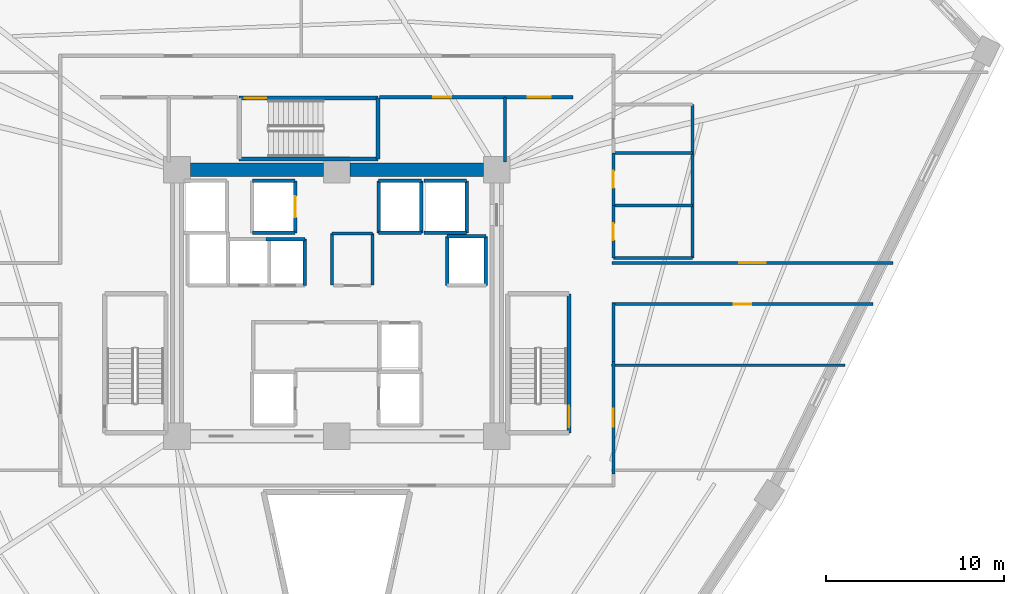
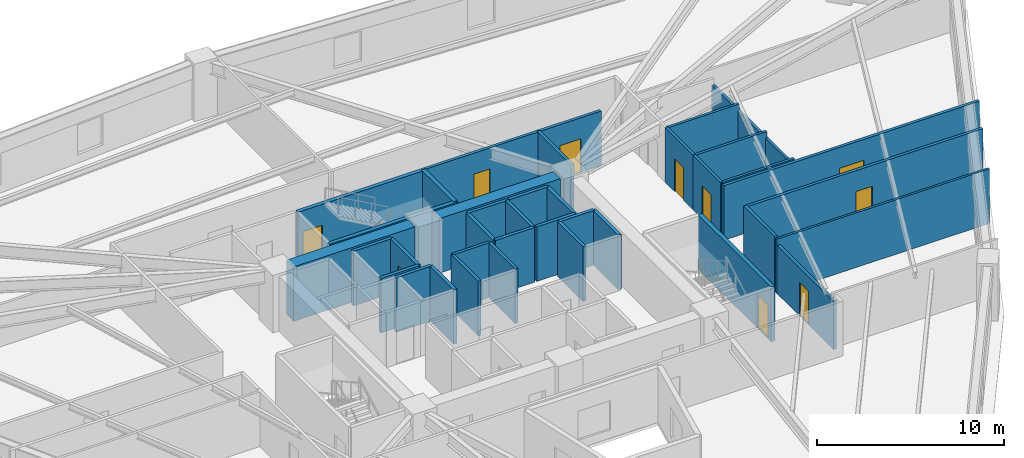
# One storey, part 5 of 7: 38 walls, 10 doors, 10 openings.
"""IFC4 building model written with IfcOpenShell, lengths in metres."""

from ifc_helpers import new_model, si_unit, direction, frame, frame_2d, origin, place, context, subcontext, project, spatial, rectangle, extrude, source, transform, mapped, material, layer, layer_set, type_object, element, fill, save


model = new_model("IFC4")

# Units and contexts
model_context = context("Model", 3, precision=1e-05, world=origin(), true_north=direction((0.0, 1.0)))
body_context = subcontext(model_context, "Body", "Model", "MODEL_VIEW")
ifc_project = project(units=[si_unit("LENGTHUNIT", "METRE"), si_unit("AREAUNIT", "SQUARE_METRE"), si_unit("VOLUMEUNIT", "CUBIC_METRE"), si_unit("PLANEANGLEUNIT", "RADIAN"), si_unit("MASSUNIT", "GRAM", prefix="KILO")], contexts=[model_context])

# Site, building, storey
site_placement = place(None, origin())
site = spatial("IfcSite", under=ifc_project, at=site_placement, CompositionType="ELEMENT")
building_placement = place(site_placement, origin())
building = spatial("IfcBuilding", under=site, at=building_placement, Name="Liaohun Quay Tower", CompositionType="ELEMENT")
storey_placement = place(building_placement, frame((0.0, 0.0, 113.25)))
storey = spatial("IfcBuildingStorey", under=building, at=storey_placement, Name="L29", CompositionType="ELEMENT", Elevation=113.25)

# Walls
ifc_material_1 = material(Name="Concrete C60", Category="concrete")
ifc_layer_1 = layer(ifc_material_1, 0.75, Name="Concrete C60", Category="concrete")
ifc_layer_set_1 = layer_set([ifc_layer_1], Name="Concrete C60")
wall_type_1 = type_object("IfcWallType", Name="WAL-COR-Z2", PredefinedType="SHEAR", material=ifc_layer_set_1)
for number, where, z_axis, x_axis, name in (
    (1, (51.75, 61.5, 0.0), (0.0, 0.0, 1.0), (1.0, 0.0, 0.0), "L29 Central Core Shear Wall N-W"),
    (2, (60.75, 61.5, 0.0), (0.0, 0.0, 1.0), (1.0, 0.0, 0.0), "L29 Central Core Shear Wall N-E"),
):
    element("IfcWall", number, at=place(storey_placement, frame(where, z_axis=z_axis, x_axis=x_axis)), inside=storey, type_object=wall_type_1, Name=name, PredefinedType="SHEAR", context=body_context, shape_type="SweptSolid", body=[
        extrude(rectangle(XDim=7.5, YDim=0.75, at=frame_2d((3.75, 0.0))), origin(), (0.0, 0.0, 1.0), 3.570068359375),
    ])

# Wall, opening, door
ifc_material_2 = material(Name="Autoclaved aerated concrete blockwork", Category="masonry")
ifc_layer_2 = layer(ifc_material_2, 0.179931640625, Name="Autoclaved aerated concrete blockwork", Category="masonry")
ifc_layer_set_2 = layer_set([ifc_layer_2], Name="Autoclaved aerated concrete blockwork")
wall_type_2 = type_object("IfcWallType", Name="WAL-PRT-COR", PredefinedType="PARTITIONING", material=ifc_layer_set_2)
wall_1_placement = place(storey_placement, frame((62.389892578125, 65.580078125, 0.0), z_axis=(0.0, 0.0, 1.0), x_axis=(1.0, 0.0, 0.0)))
wall_1 = element("IfcWall", 3, at=wall_1_placement, inside=storey, type_object=wall_type_2, Name="L29 Interior Partition Wall 007", PredefinedType="PARTITIONING", context=body_context, shape_type="SweptSolid", body=[
    extrude(rectangle(XDim=7.070068359375, YDim=0.179931640625, at=frame_2d((3.53515625, 0.0))), origin(), (0.0, 0.0, 1.0), 3.570068359375),
])
shared_shape_1 = source(origin(), body_context, "Body", "SweptSolid", [
    extrude(rectangle(XDim=1.0, YDim=2.199951171875, at=frame_2d((0.5, 1.10009765625))), frame((0.0, 0.099853515625, 0.0), z_axis=(0.0, -1.0, 0.0), x_axis=(1.0, 0.0, 0.0)), (0.0, 0.0, 1.0), 0.199951171875),
])
opening_1_placement = place(wall_1_placement, frame((3.034912109375, 0.0, 0.0)))
opening_1 = element("IfcOpeningElement", 4, at=opening_1_placement, cuts=wall_1, Name="Opening OD1", PredefinedType="OPENING", context=body_context, shape_type="MappedRepresentation", body=[
    mapped(shared_shape_1, transform((0.0, 0.0, 0.0), x_axis=(1.0, 0.0, 0.0), y_axis=(0.0, 1.0, 0.0), z_axis=(0.0, 0.0, 1.0), scale=1.0)),
])
ifc_material_3 = material(Name="Solid-core oak veneer timber leaf in steel frame", Category="steel")
door_type_1 = type_object("IfcDoorType", Name="DOR-OFF-1000", OperationType="NOTDEFINED", PredefinedType="DOOR", material=ifc_material_3)
shared_shape_2 = source(origin(), body_context, "Body", "SweptSolid", [
    extrude(rectangle(XDim=1.0, YDim=2.199951171875, at=frame_2d((0.5, 1.10009765625))), frame((0.0, 0.02490234375, 0.0), z_axis=(0.0, -1.0, 0.0), x_axis=(1.0, 0.0, 0.0)), (0.0, 0.0, 1.0), 0.050048828125),
])
door_1_placement = place(opening_1_placement, origin())
door_1 = element("IfcDoor", 5, at=door_1_placement, inside=storey, type_object=door_type_1, Name="L29 North-East Archive and Mail Room Door", OperationType="SINGLE_SWING_RIGHT", OverallHeight=2.199951171875, OverallWidth=1.0, PredefinedType="DOOR", context=body_context, shape_type="MappedRepresentation", body=[
    mapped(shared_shape_2, transform((0.0, 0.0, 0.0), x_axis=(1.0, 0.0, 0.0), y_axis=(0.0, 1.0, 0.0), z_axis=(0.0, 0.0, 1.0), scale=1.0)),
])
fill(opening_1, door_1)

wall_2_placement = place(storey_placement, frame((69.4599609375, 65.580078125, 0.0), z_axis=(0.0, 0.0, 1.0), x_axis=(1.0, 0.0, 0.0)))
wall_2 = element("IfcWall", 6, at=wall_2_placement, inside=storey, type_object=wall_type_2, Name="L29 Interior Partition Wall 009", PredefinedType="PARTITIONING", context=body_context, shape_type="SweptSolid", body=[
    extrude(rectangle(XDim=3.840087890625, YDim=0.179931640625, at=frame_2d((1.919921875, 0.0))), origin(), (0.0, 0.0, 1.0), 3.570068359375),
])
shared_shape_3 = source(origin(), body_context, "Body", "SweptSolid", [
    extrude(rectangle(XDim=1.300048828125, YDim=2.199951171875, at=frame_2d((0.64990234375, 1.10009765625))), frame((0.0, 0.099853515625, 0.0), z_axis=(0.0, -1.0, 0.0), x_axis=(1.0, 0.0, 0.0)), (0.0, 0.0, 1.0), 0.199951171875),
])
opening_2_placement = place(wall_2_placement, frame((1.27001953125, 0.0, 0.0)))
opening_2 = element("IfcOpeningElement", 7, at=opening_2_placement, cuts=wall_2, Name="Opening FD1", PredefinedType="OPENING", context=body_context, shape_type="MappedRepresentation", body=[
    mapped(shared_shape_3, transform((0.0, 0.0, 0.0), x_axis=(1.0, 0.0, 0.0), y_axis=(0.0, 1.0, 0.0), z_axis=(0.0, 0.0, 1.0), scale=1.0)),
])
ifc_material_4 = material(Name="Galvanised steel smokeproof fire door", Category="steel")
door_type_2 = type_object("IfcDoorType", Name="DOR-FFL-1300", OperationType="NOTDEFINED", PredefinedType="DOOR", material=ifc_material_4)
shared_shape_4 = source(origin(), body_context, "Body", "SweptSolid", [
    extrude(rectangle(XDim=1.300048828125, YDim=2.199951171875, at=frame_2d((0.64990234375, 1.10009765625))), frame((0.0, 0.02490234375, 0.0), z_axis=(0.0, -1.0, 0.0), x_axis=(1.0, 0.0, 0.0)), (0.0, 0.0, 1.0), 0.050048828125),
])
door_2_placement = place(opening_2_placement, origin())
door_2 = element("IfcDoor", 8, at=door_2_placement, inside=storey, type_object=door_type_2, Name="L29 East Core Vestibule Door", OperationType="SINGLE_SWING_RIGHT", OverallHeight=2.199951171875, OverallWidth=1.300048828125, PredefinedType="DOOR", context=body_context, shape_type="MappedRepresentation", body=[
    mapped(shared_shape_4, transform((0.0, 0.0, 0.0), x_axis=(1.0, 0.0, 0.0), y_axis=(0.0, 1.0, 0.0), z_axis=(0.0, 0.0, 1.0), scale=1.0)),
])
fill(opening_2, door_2)

wall_3_placement = place(storey_placement, frame((75.489990234375, 56.260009765625, 0.0), z_axis=(0.0, 0.0, 1.0), x_axis=(1.0, 0.0, 0.0)))
wall_3 = element("IfcWall", 9, at=wall_3_placement, inside=storey, type_object=wall_type_2, Name="L29 Interior Partition Wall 010", PredefinedType="PARTITIONING", context=body_context, shape_type="SweptSolid", body=[
    extrude(rectangle(XDim=15.81103515625, YDim=0.179931640625, at=frame_2d((7.905517578125, 0.0))), origin(), (0.0, 0.0, 1.0), 3.570068359375),
])
shared_shape_5 = source(origin(), body_context, "Body", "SweptSolid", [
    extrude(rectangle(XDim=1.5, YDim=2.199951171875, at=frame_2d((0.75, 1.10009765625))), frame((0.0, 0.099853515625, 0.0), z_axis=(0.0, -1.0, 0.0), x_axis=(1.0, 0.0, 0.0)), (0.0, 0.0, 1.0), 0.199951171875),
])
opening_3_placement = place(wall_3_placement, frame((7.156005859375, 0.0, 0.0)))
opening_3 = element("IfcOpeningElement", 10, at=opening_3_placement, cuts=wall_3, Name="Opening OD2", PredefinedType="OPENING", context=body_context, shape_type="MappedRepresentation", body=[
    mapped(shared_shape_5, transform((0.0, 0.0, 0.0), x_axis=(1.0, 0.0, 0.0), y_axis=(0.0, 1.0, 0.0), z_axis=(0.0, 0.0, 1.0), scale=1.0)),
])
ifc_material_5 = material(Name="Acoustic oak veneer double door")
door_type_3 = type_object("IfcDoorType", Name="DOR-OFF-1500", OperationType="DOUBLE_DOOR_SINGLE_SWING", PredefinedType="DOOR", material=ifc_material_5)
shared_shape_6 = source(origin(), body_context, "Body", "SweptSolid", [
    extrude(rectangle(XDim=1.5, YDim=2.199951171875, at=frame_2d((0.75, 1.10009765625))), frame((0.0, 0.02490234375, 0.0), z_axis=(0.0, -1.0, 0.0), x_axis=(1.0, 0.0, 0.0)), (0.0, 0.0, 1.0), 0.050048828125),
])
door_3_placement = place(opening_3_placement, origin())
door_3 = element("IfcDoor", 11, at=door_3_placement, inside=storey, type_object=door_type_3, Name="L29 Technical Reference Library 01 Door", OperationType="DOUBLE_DOOR_SINGLE_SWING", OverallHeight=2.199951171875, OverallWidth=1.5, PredefinedType="DOOR", context=body_context, shape_type="MappedRepresentation", body=[
    mapped(shared_shape_6, transform((0.0, 0.0, 0.0), x_axis=(1.0, 0.0, 0.0), y_axis=(0.0, 1.0, 0.0), z_axis=(0.0, 0.0, 1.0), scale=1.0)),
])
fill(opening_3, door_3)

wall_4_placement = place(storey_placement, frame((75.56005859375, 50.715087890625, 0.0), z_axis=(0.0, 0.0, 1.0), x_axis=(0.0, -1.0, 0.0)))
wall_4 = element("IfcWall", 12, at=wall_4_placement, inside=storey, type_object=wall_type_2, Name="L29 Interior Partition Wall 017", PredefinedType="PARTITIONING", context=body_context, shape_type="SweptSolid", body=[
    extrude(rectangle(XDim=6.330078125, YDim=0.179931640625, at=frame_2d((3.1650390625, 0.0))), origin(), (0.0, 0.0, 1.0), 3.155029296875),
])
opening_4_placement = place(wall_4_placement, frame((2.6650390625, 0.0, 0.0)))
opening_4 = element("IfcOpeningElement", 13, at=opening_4_placement, cuts=wall_4, Name="Opening OD1", PredefinedType="OPENING", context=body_context, shape_type="MappedRepresentation", body=[
    mapped(shared_shape_1, transform((0.0, 0.0, 0.0), x_axis=(1.0, 0.0, 0.0), y_axis=(0.0, 1.0, 0.0), z_axis=(0.0, 0.0, 1.0), scale=1.0)),
])
door_4_placement = place(opening_4_placement, origin())
door_4 = element("IfcDoor", 14, at=door_4_placement, inside=storey, type_object=door_type_1, Name="L29 Staff Daycare Nursery 08 Door", OperationType="SINGLE_SWING_RIGHT", OverallHeight=2.199951171875, OverallWidth=1.0, PredefinedType="DOOR", context=body_context, shape_type="MappedRepresentation", body=[
    mapped(shared_shape_2, transform((0.0, 0.0, 0.0), x_axis=(1.0, 0.0, 0.0), y_axis=(0.0, 1.0, 0.0), z_axis=(0.0, 0.0, 1.0), scale=1.0)),
])
fill(opening_4, door_4)

wall_5_placement = place(storey_placement, frame((90.1689453125, 53.93994140625, 0.0), z_axis=(0.0, 0.0, 1.0), x_axis=(-1.0, 0.0, 0.0)))
wall_5 = element("IfcWall", 15, at=wall_5_placement, inside=storey, type_object=wall_type_2, Name="L29 Interior Partition Wall 018", PredefinedType="PARTITIONING", context=body_context, shape_type="SweptSolid", body=[
    extrude(rectangle(XDim=14.678955078125, YDim=0.179931640625, at=frame_2d((7.33935546875, 0.0))), origin(), (0.0, 0.0, 1.0), 3.570068359375),
])
opening_5_placement = place(wall_5_placement, frame((6.840087890625, 0.0, 0.0)))
opening_5 = element("IfcOpeningElement", 16, at=opening_5_placement, cuts=wall_5, Name="Opening OD1", PredefinedType="OPENING", context=body_context, shape_type="MappedRepresentation", body=[
    mapped(shared_shape_1, transform((0.0, 0.0, 0.0), x_axis=(1.0, 0.0, 0.0), y_axis=(0.0, 1.0, 0.0), z_axis=(0.0, 0.0, 1.0), scale=1.0)),
])
door_5_placement = place(opening_5_placement, origin())
door_5 = element("IfcDoor", 17, at=door_5_placement, inside=storey, type_object=door_type_1, Name="L29 Records Archive Store 09 Door", OperationType="SINGLE_SWING_LEFT", OverallHeight=2.199951171875, OverallWidth=1.0, PredefinedType="DOOR", context=body_context, shape_type="MappedRepresentation", body=[
    mapped(shared_shape_2, transform((0.0, 0.0, 0.0), x_axis=(1.0, 0.0, 0.0), y_axis=(0.0, 1.0, 0.0), z_axis=(0.0, 0.0, 1.0), scale=1.0)),
])
fill(opening_5, door_5)

# Walls
for number, where, z_axis, x_axis, name in (
    (18, (59.719970703125, 55.02001953125, 0.0), (0.0, 0.0, 1.0), (0.0, 1.0, 0.0), "L29 Interior Partition Wall 019"),
    (19, (62.010009765625, 55.02001953125, 0.0), (0.0, 0.0, 1.0), (0.0, 1.0, 0.0), "L29 Interior Partition Wall 020"),
):
    element("IfcWall", number, at=place(storey_placement, frame(where, z_axis=z_axis, x_axis=x_axis)), inside=storey, type_object=wall_type_2, Name=name, PredefinedType="PARTITIONING", context=body_context, shape_type="SweptSolid", body=[
        extrude(rectangle(XDim=2.8798828125, YDim=0.179931640625, at=frame_2d((1.43994140625, 0.0))), origin(), (0.0, 0.0, 1.0), 3.570068359375),
    ])
wall_6_placement = place(storey_placement, frame((59.719970703125, 57.919921875, 0.0), z_axis=(0.0, 0.0, 1.0), x_axis=(1.0, 0.0, 0.0)))
element("IfcWall", 20, at=wall_6_placement, inside=storey, type_object=wall_type_2, Name="L29 Interior Partition Wall 021", PredefinedType="PARTITIONING", context=body_context, shape_type="SweptSolid", body=[
    extrude(rectangle(XDim=2.2900390625, YDim=0.179931640625, at=frame_2d((1.14501953125, 0.0))), origin(), (0.0, 0.0, 1.0), 3.570068359375),
])
wall_7_placement = place(storey_placement, frame((69.4599609375, 61.949951171875, 0.0), z_axis=(0.0, 0.0, 1.0), x_axis=(0.0, 1.0, 0.0)))
element("IfcWall", 21, at=wall_7_placement, inside=storey, type_object=wall_type_2, Name="L29 Interior Partition Wall 028", PredefinedType="PARTITIONING", context=body_context, shape_type="SweptSolid", body=[
    extrude(rectangle(XDim=3.630126953125, YDim=0.179931640625, at=frame_2d((1.81494140625, 0.0))), origin(), (0.0, 0.0, 1.0), 3.570068359375),
])
wall_8_placement = place(storey_placement, frame((75.56005859375, 54.010009765625, 0.0), z_axis=(0.0, 0.0, 1.0), x_axis=(0.0, -1.0, 0.0)))
element("IfcWall", 22, at=wall_8_placement, inside=storey, type_object=wall_type_2, Name="L29 Interior Partition Wall 036", PredefinedType="PARTITIONING", context=body_context, shape_type="SweptSolid", body=[
    extrude(rectangle(XDim=3.294921875, YDim=0.179931640625, at=frame_2d((1.6474609375, 0.0))), origin(), (0.0, 0.0, 1.0), 3.570068359375),
])
ifc_material_6 = material(Name="Gypsum board on twin steel studs", Category="steel")
ifc_layer_3 = layer(ifc_material_6, 0.139892578125, Name="Gypsum board on twin steel studs", Category="steel")
ifc_layer_set_3 = layer_set([ifc_layer_3], Name="Gypsum board on twin steel studs")
wall_type_3 = type_object("IfcWallType", Name="WAL-PRT-OFF", PredefinedType="PARTITIONING", material=ifc_layer_set_3)
wall_9_placement = place(storey_placement, frame((75.4599609375, 50.5, 0.0), z_axis=(0.0, 0.0, 1.0), x_axis=(1.0, 0.0, 0.0)))
element("IfcWall", 23, at=wall_9_placement, inside=storey, type_object=wall_type_3, Name="L29 Interior Partition Wall 041", PredefinedType="PARTITIONING", context=body_context, shape_type="SweptSolid", body=[
    extrude(rectangle(XDim=13.137939453125, YDim=0.139892578125, at=frame_2d((6.56884765625, 0.0))), origin(), (0.0, 0.0, 1.0), 3.570068359375),
])

# Wall, opening, door
ifc_material_7 = material(Name="Moisture-resistant masonry blockwork", Category="masonry")
ifc_layer_4 = layer(ifc_material_7, 0.159912109375, Name="Moisture-resistant masonry blockwork", Category="masonry")
ifc_layer_set_4 = layer_set([ifc_layer_4], Name="Moisture-resistant masonry blockwork")
wall_type_4 = type_object("IfcWallType", Name="WAL-PRT-WET", PredefinedType="PARTITIONING", material=ifc_layer_set_4)
wall_10_placement = place(storey_placement, frame((75.56005859375, 56.5400390625, 0.0), z_axis=(0.0, 0.0, 1.0), x_axis=(0.0, 1.0, 0.0)))
wall_10 = element("IfcWall", 24, at=wall_10_placement, inside=storey, type_object=wall_type_4, Name="L29 Interior Partition Wall 003", PredefinedType="PARTITIONING", context=body_context, shape_type="SweptSolid", body=[
    extrude(rectangle(XDim=2.93994140625, YDim=0.159912109375, at=frame_2d((1.469970703125, 0.0))), origin(), (0.0, 0.0, 1.0), 3.570068359375),
])
shared_shape_7 = source(origin(), body_context, "Body", "SweptSolid", [
    extrude(rectangle(XDim=0.949951171875, YDim=2.14990234375, at=frame_2d((0.47509765625, 1.074951171875))), frame((0.0, 0.08984375, 0.0), z_axis=(0.0, -1.0, 0.0), x_axis=(1.0, 0.0, 0.0)), (0.0, 0.0, 1.0), 0.179931640625),
])
opening_6_placement = place(wall_10_placement, frame((0.9951171875, 0.0, 0.0)))
opening_6 = element("IfcOpeningElement", 25, at=opening_6_placement, cuts=wall_10, Name="Opening WD1", PredefinedType="OPENING", context=body_context, shape_type="MappedRepresentation", body=[
    mapped(shared_shape_7, transform((0.0, 0.0, 0.0), x_axis=(1.0, 0.0, 0.0), y_axis=(0.0, 1.0, 0.0), z_axis=(0.0, 0.0, 1.0), scale=1.0)),
])
ifc_material_8 = material(Name="Moisture-resistant laminate timber leaf", Category="wood")
door_type_4 = type_object("IfcDoorType", Name="DOR-WC-950", OperationType="NOTDEFINED", PredefinedType="DOOR", material=ifc_material_8)
shared_shape_8 = source(origin(), body_context, "Body", "SweptSolid", [
    extrude(rectangle(XDim=0.949951171875, YDim=2.14990234375, at=frame_2d((0.47509765625, 1.074951171875))), frame((0.0, 0.02490234375, 0.0), z_axis=(0.0, -1.0, 0.0), x_axis=(1.0, 0.0, 0.0)), (0.0, 0.0, 1.0), 0.050048828125),
])
door_6_placement = place(opening_6_placement, origin())
door_6 = element("IfcDoor", 26, at=door_6_placement, inside=storey, type_object=door_type_4, Name="L29 Male Restroom WC Door", OperationType="SINGLE_SWING_RIGHT", OverallHeight=2.14990234375, OverallWidth=0.949951171875, PredefinedType="DOOR", context=body_context, shape_type="MappedRepresentation", body=[
    mapped(shared_shape_8, transform((0.0, 0.0, 0.0), x_axis=(1.0, 0.0, 0.0), y_axis=(0.0, 1.0, 0.0), z_axis=(0.0, 0.0, 1.0), scale=1.0)),
])
fill(opening_6, door_6)

wall_11_placement = place(storey_placement, frame((75.56005859375, 59.47998046875, 0.0), z_axis=(0.0, 0.0, 1.0), x_axis=(0.0, 1.0, 0.0)))
wall_11 = element("IfcWall", 27, at=wall_11_placement, inside=storey, type_object=wall_type_4, Name="L29 Interior Partition Wall 004", PredefinedType="PARTITIONING", context=body_context, shape_type="SweptSolid", body=[
    extrude(rectangle(XDim=2.9599609375, YDim=0.159912109375, at=frame_2d((1.47998046875, 0.0))), origin(), (0.0, 0.0, 1.0), 3.570068359375),
])
opening_7_placement = place(wall_11_placement, frame((1.0048828125, 0.0, 0.0)))
opening_7 = element("IfcOpeningElement", 28, at=opening_7_placement, cuts=wall_11, Name="Opening WD1", PredefinedType="OPENING", context=body_context, shape_type="MappedRepresentation", body=[
    mapped(shared_shape_7, transform((0.0, 0.0, 0.0), x_axis=(1.0, 0.0, 0.0), y_axis=(0.0, 1.0, 0.0), z_axis=(0.0, 0.0, 1.0), scale=1.0)),
])
door_7_placement = place(opening_7_placement, origin())
door_7 = element("IfcDoor", 29, at=door_7_placement, inside=storey, type_object=door_type_4, Name="L29 Female Restroom WC Door", OperationType="SINGLE_SWING_LEFT", OverallHeight=2.14990234375, OverallWidth=0.949951171875, PredefinedType="DOOR", context=body_context, shape_type="MappedRepresentation", body=[
    mapped(shared_shape_8, transform((0.0, 0.0, 0.0), x_axis=(1.0, 0.0, 0.0), y_axis=(0.0, 1.0, 0.0), z_axis=(0.0, 0.0, 1.0), scale=1.0)),
])
fill(opening_7, door_7)

# Walls
wall_12_placement = place(storey_placement, frame((80.02001953125, 56.5400390625, 0.0), z_axis=(0.0, 0.0, 1.0), x_axis=(0.0, 1.0, 0.0)))
element("IfcWall", 30, at=wall_12_placement, inside=storey, type_object=wall_type_4, Name="L29 Interior Partition Wall 022", PredefinedType="PARTITIONING", context=body_context, shape_type="SweptSolid", body=[
    extrude(rectangle(XDim=8.639892578125, YDim=0.159912109375, at=frame_2d((4.31982421875, 0.0))), origin(), (0.0, 0.0, 1.0), 3.155029296875),
])
for number, where, z_axis, x_axis, name in (
    (31, (75.56005859375, 56.5400390625, 0.0), (0.0, 0.0, 1.0), (1.0, 0.0, 0.0), "L29 Interior Partition Wall 023"),
    (32, (75.56005859375, 59.47998046875, 0.0), (0.0, 0.0, 1.0), (1.0, 0.0, 0.0), "L29 Interior Partition Wall 024"),
    (33, (75.56005859375, 62.43994140625, 0.0), (0.0, 0.0, 1.0), (1.0, 0.0, 0.0), "L29 Interior Partition Wall 025"),
):
    element("IfcWall", number, at=place(storey_placement, frame(where, z_axis=z_axis, x_axis=x_axis)), inside=storey, type_object=wall_type_4, Name=name, PredefinedType="PARTITIONING", context=body_context, shape_type="SweptSolid", body=[
        extrude(rectangle(XDim=4.4599609375, YDim=0.159912109375, at=frame_2d((2.22998046875, 0.0))), origin(), (0.0, 0.0, 1.0), 3.570068359375),
    ])

# Wall, opening, door
ifc_material_9 = material(Name="Concrete C50", Category="concrete")
ifc_layer_5 = layer(ifc_material_9, 0.239990234375, Name="Concrete C50", Category="concrete")
ifc_layer_set_5 = layer_set([ifc_layer_5], Name="Concrete C50")
wall_type_5 = type_object("IfcWallType", Name="WAL-SHF-200", PredefinedType="SOLIDWALL", material=ifc_layer_set_5)
wall_13_placement = place(storey_placement, frame((73.06005859375, 46.699951171875, 0.0), z_axis=(0.0, 0.0, 1.0), x_axis=(0.0, 1.0, 0.0)))
wall_13 = element("IfcWall", 34, at=wall_13_placement, inside=storey, type_object=wall_type_5, Name="L29 Stairwell ST-2 Structural Core Wall E", PredefinedType="SOLIDWALL", context=body_context, shape_type="SweptSolid", body=[
    extrude(rectangle(XDim=7.820068359375, YDim=0.239990234375, at=frame_2d((3.91015625, 0.0))), origin(), (0.0, 0.0, 1.0), 3.570068359375),
])
shared_shape_9 = source(origin(), body_context, "Body", "SweptSolid", [
    extrude(rectangle(XDim=1.199951171875, YDim=2.199951171875, at=frame_2d((0.60009765625, 1.10009765625))), frame((0.0, 0.1298828125, 0.0), z_axis=(0.0, -1.0, 0.0), x_axis=(1.0, 0.0, 0.0)), (0.0, 0.0, 1.0), 0.260009765625),
])
opening_8_placement = place(wall_13_placement, frame((0.320068359375, 0.0, 0.0)))
opening_8 = element("IfcOpeningElement", 35, at=opening_8_placement, cuts=wall_13, Name="Opening SD1", PredefinedType="OPENING", context=body_context, shape_type="MappedRepresentation", body=[
    mapped(shared_shape_9, transform((0.0, 0.0, 0.0), x_axis=(1.0, 0.0, 0.0), y_axis=(0.0, 1.0, 0.0), z_axis=(0.0, 0.0, 1.0), scale=1.0)),
])
ifc_material_10 = material(Name="Galvanised steel fire door", Category="steel")
door_type_5 = type_object("IfcDoorType", Name="DOR-STR-1200", OperationType="NOTDEFINED", PredefinedType="DOOR", material=ifc_material_10)
shared_shape_10 = source(origin(), body_context, "Body", "SweptSolid", [
    extrude(rectangle(XDim=1.199951171875, YDim=2.199951171875, at=frame_2d((0.60009765625, 1.10009765625))), frame((0.0, 0.02490234375, 0.0), z_axis=(0.0, -1.0, 0.0), x_axis=(1.0, 0.0, 0.0)), (0.0, 0.0, 1.0), 0.050048828125),
])
door_8_placement = place(opening_8_placement, origin())
door_8 = element("IfcDoor", 36, at=door_8_placement, inside=storey, type_object=door_type_5, Name="L29 Protected Stair ST-2 Fire Door", OperationType="SINGLE_SWING_RIGHT", OverallHeight=2.199951171875, OverallWidth=1.199951171875, PredefinedType="DOOR", context=body_context, shape_type="MappedRepresentation", body=[
    mapped(shared_shape_10, transform((0.0, 0.0, 0.0), x_axis=(1.0, 0.0, 0.0), y_axis=(0.0, 1.0, 0.0), z_axis=(0.0, 0.0, 1.0), scale=1.0)),
])
fill(opening_8, door_8)

# Walls
wall_14_placement = place(storey_placement, frame((54.5, 62.10009765625, 0.0), z_axis=(0.0, 0.0, 1.0), x_axis=(1.0, 0.0, 0.0)))
element("IfcWall", 37, at=wall_14_placement, inside=storey, type_object=wall_type_5, Name="L29 Stairwell ST-3 Structural Core Wall S", PredefinedType="SOLIDWALL", context=body_context, shape_type="SweptSolid", body=[
    extrude(rectangle(XDim=7.820068359375, YDim=0.239990234375, at=frame_2d((3.91015625, 0.0))), origin(), (0.0, 0.0, 1.0), 3.570068359375),
])
wall_15_placement = place(storey_placement, frame((62.320068359375, 62.10009765625, 0.0), z_axis=(0.0, 0.0, 1.0), x_axis=(0.0, 1.0, 0.0)))
element("IfcWall", 38, at=wall_15_placement, inside=storey, type_object=wall_type_5, Name="L29 Stairwell ST-3 Structural Core Wall E", PredefinedType="SOLIDWALL", context=body_context, shape_type="SweptSolid", body=[
    extrude(rectangle(XDim=3.43994140625, YDim=0.239990234375, at=frame_2d((1.719970703125, 0.0))), origin(), (0.0, 0.0, 1.0), 3.570068359375),
])

# Wall, opening, door
wall_16_placement = place(storey_placement, frame((62.320068359375, 65.5400390625, 0.0), z_axis=(0.0, 0.0, 1.0), x_axis=(-1.0, 0.0, 0.0)))
wall_16 = element("IfcWall", 39, at=wall_16_placement, inside=storey, type_object=wall_type_5, Name="L29 Stairwell ST-3 Structural Core Wall N", PredefinedType="SOLIDWALL", context=body_context, shape_type="SweptSolid", body=[
    extrude(rectangle(XDim=7.820068359375, YDim=0.239990234375, at=frame_2d((3.91015625, 0.0))), origin(), (0.0, 0.0, 1.0), 3.570068359375),
])
opening_9_placement = place(wall_16_placement, frame((6.300048828125, 0.0, 0.0)))
opening_9 = element("IfcOpeningElement", 40, at=opening_9_placement, cuts=wall_16, Name="Opening SD1", PredefinedType="OPENING", context=body_context, shape_type="MappedRepresentation", body=[
    mapped(shared_shape_9, transform((0.0, 0.0, 0.0), x_axis=(1.0, 0.0, 0.0), y_axis=(0.0, 1.0, 0.0), z_axis=(0.0, 0.0, 1.0), scale=1.0)),
])
door_9_placement = place(opening_9_placement, origin())
door_9 = element("IfcDoor", 41, at=door_9_placement, inside=storey, type_object=door_type_5, Name="L29 Protected Stair ST-3 Fire Door", OperationType="SINGLE_SWING_RIGHT", OverallHeight=2.199951171875, OverallWidth=1.199951171875, PredefinedType="DOOR", context=body_context, shape_type="MappedRepresentation", body=[
    mapped(shared_shape_10, transform((0.0, 0.0, 0.0), x_axis=(1.0, 0.0, 0.0), y_axis=(0.0, 1.0, 0.0), z_axis=(0.0, 0.0, 1.0), scale=1.0)),
])
fill(opening_9, door_9)

# Wall
wall_17_placement = place(storey_placement, frame((55.25, 57.949951171875, 0.0), z_axis=(0.0, 0.0, 1.0), x_axis=(1.0, 0.0, 0.0)))
element("IfcWall", 42, at=wall_17_placement, inside=storey, type_object=wall_type_5, Name="L29 Lift FF-03 Hoistway Wall S", PredefinedType="SOLIDWALL", context=body_context, shape_type="SweptSolid", body=[
    extrude(rectangle(XDim=2.39990234375, YDim=0.199951171875, at=frame_2d((1.199951171875, 0.0))), origin(), (0.0, 0.0, 1.0), 3.570068359375),
])

# Wall, opening, door
wall_18_placement = place(storey_placement, frame((57.64990234375, 57.949951171875, 0.0), z_axis=(0.0, 0.0, 1.0), x_axis=(0.0, 1.0, 0.0)))
wall_18 = element("IfcWall", 43, at=wall_18_placement, inside=storey, type_object=wall_type_5, Name="L29 Lift FF-03 Hoistway Wall E", PredefinedType="SOLIDWALL", context=body_context, shape_type="SweptSolid", body=[
    extrude(rectangle(XDim=2.929931640625, YDim=0.199951171875, at=frame_2d((1.46484375, 0.0))), origin(), (0.0, 0.0, 1.0), 3.570068359375),
])
shared_shape_11 = source(origin(), body_context, "Body", "SweptSolid", [
    extrude(rectangle(XDim=1.199951171875, YDim=2.300048828125, at=frame_2d((0.60009765625, 1.14990234375))), frame((0.0, 0.10986328125, 0.0), z_axis=(0.0, -1.0, 0.0), x_axis=(1.0, 0.0, 0.0)), (0.0, 0.0, 1.0), 0.219970703125),
])
opening_10_placement = place(wall_18_placement, frame((0.864990234375, 0.0, 0.0)))
opening_10 = element("IfcOpeningElement", 44, at=opening_10_placement, cuts=wall_18, Name="Opening LD2", PredefinedType="OPENING", context=body_context, shape_type="MappedRepresentation", body=[
    mapped(shared_shape_11, transform((0.0, 0.0, 0.0), x_axis=(1.0, 0.0, 0.0), y_axis=(0.0, 1.0, 0.0), z_axis=(0.0, 0.0, 1.0), scale=1.0)),
])
ifc_material_11 = material(Name="Brushed stainless steel stretcher landing door", Category="steel")
door_type_6 = type_object("IfcDoorType", Name="DOR-LFT-1200", OperationType="SLIDING_TO_LEFT", PredefinedType="DOOR", material=ifc_material_11)
shared_shape_12 = source(origin(), body_context, "Body", "SweptSolid", [
    extrude(rectangle(XDim=1.199951171875, YDim=2.300048828125, at=frame_2d((0.60009765625, 1.14990234375))), frame((0.0, 0.02490234375, 0.0), z_axis=(0.0, -1.0, 0.0), x_axis=(1.0, 0.0, 0.0)), (0.0, 0.0, 1.0), 0.050048828125),
])
door_10_placement = place(opening_10_placement, origin())
door_10 = element("IfcDoor", 45, at=door_10_placement, inside=storey, type_object=door_type_6, Name="L29 Lift FF-03 Sliding Landing Door", OperationType="SLIDING_TO_LEFT", OverallHeight=2.300048828125, OverallWidth=1.199951171875, PredefinedType="DOOR", context=body_context, shape_type="MappedRepresentation", body=[
    mapped(shared_shape_12, transform((0.0, 0.0, 0.0), x_axis=(1.0, 0.0, 0.0), y_axis=(0.0, 1.0, 0.0), z_axis=(0.0, 0.0, 1.0), scale=1.0)),
])
fill(opening_10, door_10)

# Walls
for number, where, z_axis, x_axis, name in (
    (46, (57.64990234375, 60.8798828125, 0.0), (0.0, 0.0, 1.0), (-1.0, 0.0, 0.0), "L29 Lift FF-03 Hoistway Wall N"),
    (47, (62.35009765625, 57.949951171875, 0.0), (0.0, 0.0, 1.0), (1.0, 0.0, 0.0), "L29 Lift OB-01 Hoistway Wall S"),
):
    element("IfcWall", number, at=place(storey_placement, frame(where, z_axis=z_axis, x_axis=x_axis)), inside=storey, type_object=wall_type_5, Name=name, PredefinedType="SOLIDWALL", context=body_context, shape_type="SweptSolid", body=[
        extrude(rectangle(XDim=2.39990234375, YDim=0.199951171875, at=frame_2d((1.199951171875, 0.0))), origin(), (0.0, 0.0, 1.0), 3.570068359375),
    ])
wall_19_placement = place(storey_placement, frame((64.75, 57.949951171875, 0.0), z_axis=(0.0, 0.0, 1.0), x_axis=(0.0, 1.0, 0.0)))
element("IfcWall", 48, at=wall_19_placement, inside=storey, type_object=wall_type_5, Name="L29 Lift OB-01 Hoistway Wall E", PredefinedType="SOLIDWALL", context=body_context, shape_type="SweptSolid", body=[
    extrude(rectangle(XDim=2.929931640625, YDim=0.199951171875, at=frame_2d((1.46484375, 0.0))), origin(), (0.0, 0.0, 1.0), 3.570068359375),
])
wall_20_placement = place(storey_placement, frame((64.75, 60.8798828125, 0.0), z_axis=(0.0, 0.0, 1.0), x_axis=(-1.0, 0.0, 0.0)))
element("IfcWall", 49, at=wall_20_placement, inside=storey, type_object=wall_type_5, Name="L29 Lift OB-01 Hoistway Wall N", PredefinedType="SOLIDWALL", context=body_context, shape_type="SweptSolid", body=[
    extrude(rectangle(XDim=2.39990234375, YDim=0.199951171875, at=frame_2d((1.199951171875, 0.0))), origin(), (0.0, 0.0, 1.0), 3.570068359375),
])
wall_21_placement = place(storey_placement, frame((62.35009765625, 60.8798828125, 0.0), z_axis=(0.0, 0.0, 1.0), x_axis=(0.0, -1.0, 0.0)))
element("IfcWall", 50, at=wall_21_placement, inside=storey, type_object=wall_type_5, Name="L29 Lift OB-01 Hoistway Wall W", PredefinedType="SOLIDWALL", context=body_context, shape_type="SweptSolid", body=[
    extrude(rectangle(XDim=2.929931640625, YDim=0.199951171875, at=frame_2d((1.46484375, 0.0))), origin(), (0.0, 0.0, 1.0), 3.570068359375),
])
wall_22_placement = place(storey_placement, frame((64.89990234375, 57.949951171875, 0.0), z_axis=(0.0, 0.0, 1.0), x_axis=(1.0, 0.0, 0.0)))
element("IfcWall", 51, at=wall_22_placement, inside=storey, type_object=wall_type_5, Name="L29 Lift OB-02 Hoistway Wall S", PredefinedType="SOLIDWALL", context=body_context, shape_type="SweptSolid", body=[
    extrude(rectangle(XDim=2.400146484375, YDim=0.199951171875, at=frame_2d((1.2001953125, 0.0))), origin(), (0.0, 0.0, 1.0), 3.570068359375),
])
wall_23_placement = place(storey_placement, frame((67.300048828125, 57.949951171875, 0.0), z_axis=(0.0, 0.0, 1.0), x_axis=(0.0, 1.0, 0.0)))
element("IfcWall", 52, at=wall_23_placement, inside=storey, type_object=wall_type_5, Name="L29 Lift OB-02 Hoistway Wall E", PredefinedType="SOLIDWALL", context=body_context, shape_type="SweptSolid", body=[
    extrude(rectangle(XDim=2.929931640625, YDim=0.199951171875, at=frame_2d((1.46484375, 0.0))), origin(), (0.0, 0.0, 1.0), 3.570068359375),
])
wall_24_placement = place(storey_placement, frame((67.300048828125, 60.8798828125, 0.0), z_axis=(0.0, 0.0, 1.0), x_axis=(-1.0, 0.0, 0.0)))
element("IfcWall", 53, at=wall_24_placement, inside=storey, type_object=wall_type_5, Name="L29 Lift OB-02 Hoistway Wall N", PredefinedType="SOLIDWALL", context=body_context, shape_type="SweptSolid", body=[
    extrude(rectangle(XDim=2.400146484375, YDim=0.199951171875, at=frame_2d((1.2001953125, 0.0))), origin(), (0.0, 0.0, 1.0), 3.570068359375),
])
wall_25_placement = place(storey_placement, frame((68.3798828125, 55.0, 0.0), z_axis=(0.0, 0.0, 1.0), x_axis=(0.0, 1.0, 0.0)))
element("IfcWall", 54, at=wall_25_placement, inside=storey, type_object=wall_type_5, Name="L29 Lift SH-03 Hoistway Wall E", PredefinedType="SOLIDWALL", context=body_context, shape_type="SweptSolid", body=[
    extrude(rectangle(XDim=2.75, YDim=0.199951171875, at=frame_2d((1.375, 0.0))), origin(), (0.0, 0.0, 1.0), 3.570068359375),
])
wall_26_placement = place(storey_placement, frame((68.3798828125, 57.75, 0.0), z_axis=(0.0, 0.0, 1.0), x_axis=(-1.0, 0.0, 0.0)))
element("IfcWall", 55, at=wall_26_placement, inside=storey, type_object=wall_type_5, Name="L29 Lift SH-03 Hoistway Wall N", PredefinedType="SOLIDWALL", context=body_context, shape_type="SweptSolid", body=[
    extrude(rectangle(XDim=2.179931640625, YDim=0.199951171875, at=frame_2d((1.08984375, 0.0))), origin(), (0.0, 0.0, 1.0), 3.570068359375),
])
wall_27_placement = place(storey_placement, frame((66.199951171875, 57.75, 0.0), z_axis=(0.0, 0.0, 1.0), x_axis=(0.0, -1.0, 0.0)))
element("IfcWall", 56, at=wall_27_placement, inside=storey, type_object=wall_type_5, Name="L29 Lift SH-03 Hoistway Wall W", PredefinedType="SOLIDWALL", context=body_context, shape_type="SweptSolid", body=[
    extrude(rectangle(XDim=2.75, YDim=0.199951171875, at=frame_2d((1.375, 0.0))), origin(), (0.0, 0.0, 1.0), 3.570068359375),
])
wall_28_placement = place(storey_placement, frame((58.199951171875, 55.0, 0.0), z_axis=(0.0, 0.0, 1.0), x_axis=(0.0, 1.0, 0.0)))
element("IfcWall", 57, at=wall_28_placement, inside=storey, type_object=wall_type_5, Name="L29 Lift PL-2C Hoistway Wall E", PredefinedType="SOLIDWALL", context=body_context, shape_type="SweptSolid", body=[
    extrude(rectangle(XDim=2.60009765625, YDim=0.199951171875, at=frame_2d((1.300048828125, 0.0))), origin(), (0.0, 0.0, 1.0), 3.570068359375),
])
wall_29_placement = place(storey_placement, frame((58.199951171875, 57.60009765625, 0.0), z_axis=(0.0, 0.0, 1.0), x_axis=(-1.0, 0.0, 0.0)))
element("IfcWall", 58, at=wall_29_placement, inside=storey, type_object=wall_type_5, Name="L29 Lift PL-2C Hoistway Wall N", PredefinedType="SOLIDWALL", context=body_context, shape_type="SweptSolid", body=[
    extrude(rectangle(XDim=2.199951171875, YDim=0.199951171875, at=frame_2d((1.10009765625, 0.0))), origin(), (0.0, 0.0, 1.0), 3.570068359375),
])

save(model, "model.ifc")
